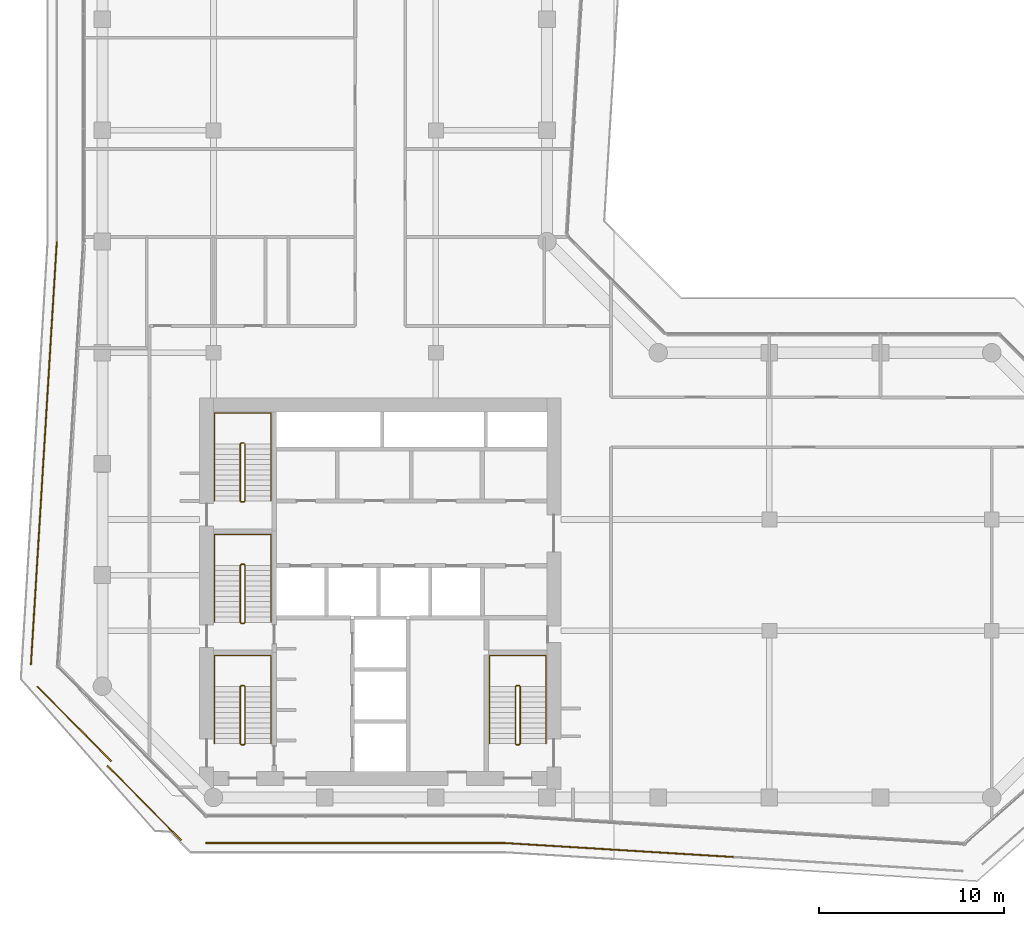
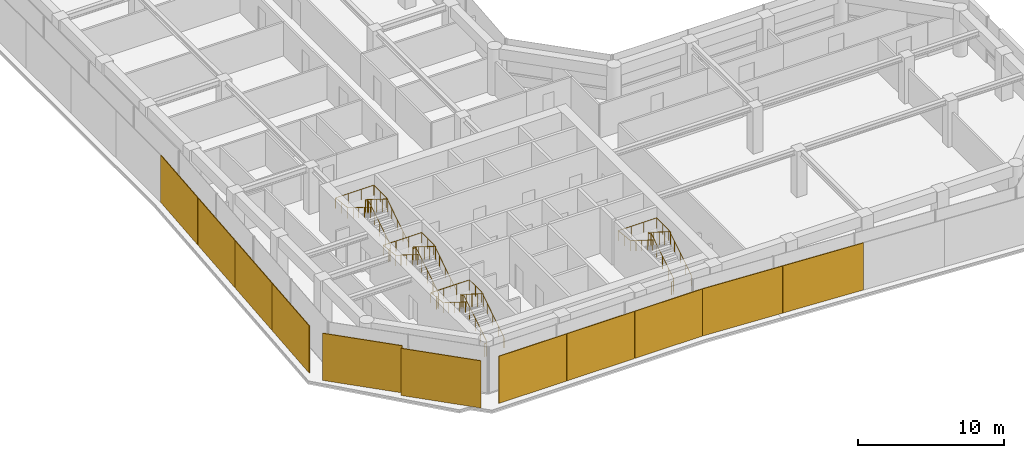
# One storey, part 23 of 24: 11 coverings, 8 railings.
"""IFC4 building model written with IfcOpenShell, lengths in metres."""

from ifc_helpers import new_model, si_unit, direction, frame, origin, origin_2d, place, context, subcontext, project, spatial, rectangle, circle, extrude, material, layer, layer_set, type_object, element, save


model = new_model("IFC4")

# Units and contexts
model_context = context("Model", 3, precision=1e-05, world=origin(), true_north=direction((0.0, 1.0)))
body_context = subcontext(model_context, "Body", "Model", "MODEL_VIEW")
ifc_project = project(units=[si_unit("LENGTHUNIT", "METRE"), si_unit("AREAUNIT", "SQUARE_METRE"), si_unit("VOLUMEUNIT", "CUBIC_METRE"), si_unit("PLANEANGLEUNIT", "RADIAN"), si_unit("MASSUNIT", "GRAM", prefix="KILO")], contexts=[model_context])

# Site, building, storey
site_placement = place(None, origin())
site = spatial("IfcSite", under=ifc_project, at=site_placement, CompositionType="ELEMENT")
building_placement = place(site_placement, origin())
building = spatial("IfcBuilding", under=site, at=building_placement, Name="Welwitschia Terrace Campus", CompositionType="ELEMENT")
storey_placement = place(building_placement, frame((0.0, 0.0, 125.60009765625)))
storey = spatial("IfcBuildingStorey", under=building, at=storey_placement, Name="L28", CompositionType="ELEMENT", Elevation=125.60009765625)

# Coverings
ifc_material_1 = material(Name="Bronze mesh aluminium screen", Category="aluminium")
ifc_layer = layer(ifc_material_1, 0.06005859375)
ifc_layer_set = layer_set([ifc_layer], Name="Bronze mesh aluminium screen")
covering_type = type_object("IfcCoveringType", Name="Bronze screen 60", PredefinedType="USERDEFINED", material=ifc_layer_set)
for number, where, z_axis, x_axis, name in (
    (1, (-2.632080078125, 31.136962890625, 0.0), (0.0, 0.0, 1.0), (-0.061048539535, -0.998134798422, 0.0), "Screen L28.0.0"),
    (2, (-2.981201171875, 25.427001953125, 0.0), (0.0, 0.0, 1.0), (-0.061048539535, -0.998134798422, 0.0), "Screen L28.0.1"),
    (3, (-3.330322265625, 19.717041015625, 0.0), (0.0, 0.0, 1.0), (-0.061048539535, -0.998134798422, 0.0), "Screen L28.0.2"),
    (4, (-3.6796875, 14.007080078125, 0.0), (0.0, 0.0, 1.0), (-0.061048539535, -0.998134798422, 0.0), "Screen L28.0.3"),
):
    element("IfcCovering", number, at=place(storey_placement, frame(where, z_axis=z_axis, x_axis=x_axis)), inside=storey, type_object=covering_type, Name=name, ObjectType="SCREEN", PredefinedType="USERDEFINED", context=body_context, shape_type="SweptSolid", body=[
        extrude(rectangle(XDim=5.70068359375, YDim=0.06005859375, at=origin_2d()), origin(), (0.0, 0.0, 1.0), 3.949951171875),
    ])
for number, where, z_axis, x_axis, name in (
    (5, (-1.512939453125, 7.9677734375, 0.0), (0.0, 0.0, 1.0), (0.702943695312, -0.711245499966, 0.0), "Screen L28.1.0"),
    (6, (2.263916015625, 3.699462890625, 0.0), (0.0, 0.0, 1.0), (0.702943695312, -0.711245499966, 0.0), "Screen L28.1.1"),
):
    element("IfcCovering", number, at=place(storey_placement, frame(where, z_axis=z_axis, x_axis=x_axis)), inside=storey, type_object=covering_type, Name=name, ObjectType="SCREEN", PredefinedType="USERDEFINED", context=body_context, shape_type="SweptSolid", body=[
        extrude(rectangle(XDim=5.670654296875, YDim=0.06005859375, at=origin_2d()), origin(), (0.0, 0.0, 1.0), 3.949951171875),
    ])
for number, where, z_axis, x_axis, name in (
    (7, (8.2705078125, 1.5400390625, 0.0), (0.0, 0.0, 1.0), (1.0, 0.0, 0.0), "Screen L28.2.0"),
    (8, (13.66455078125, 1.5400390625, 0.0), (0.0, 0.0, 1.0), (1.0, 0.0, 0.0), "Screen L28.2.1"),
    (9, (19.058837890625, 1.5400390625, 0.0), (0.0, 0.0, 1.0), (1.0, 0.0, 0.0), "Screen L28.2.2"),
):
    element("IfcCovering", number, at=place(storey_placement, frame(where, z_axis=z_axis, x_axis=x_axis)), inside=storey, type_object=covering_type, Name=name, ObjectType="SCREEN", PredefinedType="USERDEFINED", context=body_context, shape_type="SweptSolid", body=[
        extrude(rectangle(XDim=5.374267578125, YDim=0.06005859375, at=origin_2d()), origin(), (0.0, 0.0, 1.0), 3.949951171875),
    ])
for number, where, z_axis, x_axis, name in (
    (10, (24.765869140625, 1.353271484375, 0.0), (0.0, 0.0, 1.0), (0.998134798422, -0.061048539535, 0.0), "Screen L28.3.0"),
    (11, (30.96044921875, 0.974365234375, 0.0), (0.0, 0.0, 1.0), (0.998134798422, -0.061048539535, 0.0), "Screen L28.3.1"),
):
    element("IfcCovering", number, at=place(storey_placement, frame(where, z_axis=z_axis, x_axis=x_axis)), inside=storey, type_object=covering_type, Name=name, ObjectType="SCREEN", PredefinedType="USERDEFINED", context=body_context, shape_type="SweptSolid", body=[
        extrude(rectangle(XDim=6.186279296875, YDim=0.06005859375, at=origin_2d()), origin(), (0.0, 0.0, 1.0), 3.949951171875),
    ])

# Railings
ifc_material_2 = material(Name="Steel S355", Category="steel")
railing_type_1 = type_object("IfcRailingType", Name="Stair guard 1100", PredefinedType="GUARDRAIL", material=ifc_material_2)
railing_1_placement = place(storey_placement, frame((7.5, 6.85009765625, 0.0)))
element("IfcRailing", 12, at=railing_1_placement, inside=storey, type_object=railing_type_1, Name="L28 S1 stair guard", PredefinedType="GUARDRAIL", context=body_context, shape_type="SweptSolid", body=[
    extrude(circle(Radius=0.02392578125, at=origin_2d()), frame((0.0, 0.0, 1.076171875), z_axis=(1.0, 0.0, 0.0), x_axis=(0.0, 1.0, 0.0)), (0.0, 0.0, 1.0), 0.14990234375),
    extrude(circle(Radius=0.02392578125, at=origin_2d()), frame((0.14990234375, 0.0, 1.076171875), z_axis=(0.265474339444, 0.264179342666, 0.927217692888), x_axis=(-0.705375805398, 0.708833529934, 0.0)), (0.0, 0.0, 1.0), 0.1884765625),
    extrude(circle(Radius=0.02392578125, at=origin_2d()), frame((0.199951171875, 0.0498046875, 1.2509765625), z_axis=(0.0, 0.847998304005, 0.529998940003), x_axis=(-1.0, 0.0, 0.0)), (0.0, 0.0, 1.0), 3.632080078125),
    extrude(circle(Radius=0.02392578125, at=origin_2d()), frame((0.199951171875, 3.1298828125, 3.17578125), z_axis=(-0.707106781187, 0.707106781187, 0.0), x_axis=(-0.707106781187, -0.707106781187, 0.0)), (0.0, 0.0, 1.0), 0.07080078125),
    extrude(circle(Radius=0.02392578125, at=origin_2d()), frame((0.14990234375, 3.179931640625, 3.17578125), z_axis=(-1.0, 0.0, 0.0), x_axis=(0.0, -1.0, 0.0)), (0.0, 0.0, 1.0), 0.14990234375),
    extrude(circle(Radius=0.02392578125, at=origin_2d()), frame((0.0, 3.179931640625, 3.17578125), z_axis=(-0.265065253269, -0.265065253269, 0.927081885822), x_axis=(0.707106781187, -0.707106781187, 0.0)), (0.0, 0.0, 1.0), 0.188720703125),
    extrude(circle(Radius=0.02392578125, at=origin_2d()), frame((-0.050048828125, 3.1298828125, 3.35107421875), z_axis=(0.0, -0.847998304005, 0.529998940003), x_axis=(1.0, 0.0, 0.0)), (0.0, 0.0, 1.0), 3.632080078125),
    extrude(circle(Radius=0.02099609375, at=origin_2d()), origin(), (0.0, 0.0, 1.0), 1.052001953125),
    extrude(circle(Radius=0.02099609375, at=origin_2d()), frame((0.14990234375, 0.0, 0.0)), (0.0, 0.0, 1.0), 1.052001953125),
    extrude(circle(Radius=0.02099609375, at=origin_2d()), frame((0.199951171875, 0.0498046875, 0.1748046875)), (0.0, 0.0, 1.0), 1.052001953125),
    extrude(circle(Radius=0.02099609375, at=origin_2d()), frame((0.199951171875, 0.81982421875, 0.656005859375)), (0.0, 0.0, 1.0), 1.052001953125),
    extrude(circle(Radius=0.02099609375, at=origin_2d()), frame((0.199951171875, 1.58984375, 1.13720703125)), (0.0, 0.0, 1.0), 1.052001953125),
    extrude(circle(Radius=0.02099609375, at=origin_2d()), frame((0.199951171875, 2.35986328125, 1.61865234375)), (0.0, 0.0, 1.0), 1.052001953125),
    extrude(circle(Radius=0.02099609375, at=origin_2d()), frame((0.199951171875, 3.1298828125, 2.099853515625)), (0.0, 0.0, 1.0), 1.052001953125),
    extrude(circle(Radius=0.02099609375, at=origin_2d()), frame((0.14990234375, 3.179931640625, 2.099853515625)), (0.0, 0.0, 1.0), 1.052001953125),
    extrude(circle(Radius=0.02099609375, at=origin_2d()), frame((0.0, 3.179931640625, 2.099853515625)), (0.0, 0.0, 1.0), 1.052001953125),
    extrude(circle(Radius=0.02099609375, at=origin_2d()), frame((-0.050048828125, 3.1298828125, 2.27490234375)), (0.0, 0.0, 1.0), 1.052001953125),
    extrude(circle(Radius=0.02099609375, at=origin_2d()), frame((-0.050048828125, 2.35986328125, 2.756103515625)), (0.0, 0.0, 1.0), 1.052001953125),
    extrude(circle(Radius=0.02099609375, at=origin_2d()), frame((-0.050048828125, 1.58984375, 3.2373046875)), (0.0, 0.0, 1.0), 1.052001953125),
    extrude(circle(Radius=0.02099609375, at=origin_2d()), frame((-0.050048828125, 0.81982421875, 3.71875)), (0.0, 0.0, 1.0), 1.052001953125),
    extrude(circle(Radius=0.02099609375, at=origin_2d()), frame((-0.050048828125, 0.0498046875, 4.199951171875)), (0.0, 0.0, 1.0), 1.052001953125),
])
railing_2_placement = place(storey_placement, frame((7.5, 13.39990234375, 0.0)))
element("IfcRailing", 13, at=railing_2_placement, inside=storey, type_object=railing_type_1, Name="L28 S3 stair guard", PredefinedType="GUARDRAIL", context=body_context, shape_type="SweptSolid", body=[
    extrude(circle(Radius=0.02392578125, at=origin_2d()), frame((0.0, 0.0, 1.076171875), z_axis=(1.0, 0.0, 0.0), x_axis=(0.0, 1.0, 0.0)), (0.0, 0.0, 1.0), 0.14990234375),
    extrude(circle(Radius=0.02392578125, at=origin_2d()), frame((0.14990234375, 0.0, 1.076171875), z_axis=(0.265383341853, 0.265383341853, 0.926899867156), x_axis=(-0.707106781187, 0.707106781187, 0.0)), (0.0, 0.0, 1.0), 0.1884765625),
    extrude(circle(Radius=0.02392578125, at=origin_2d()), frame((0.199951171875, 0.050048828125, 1.2509765625), z_axis=(0.0, 0.847998304005, 0.529998940003), x_axis=(-1.0, 0.0, 0.0)), (0.0, 0.0, 1.0), 3.632080078125),
    extrude(circle(Radius=0.02392578125, at=origin_2d()), frame((0.199951171875, 3.130126953125, 3.17578125), z_axis=(-0.707106781187, 0.707106781187, 0.0), x_axis=(-0.707106781187, -0.707106781187, 0.0)), (0.0, 0.0, 1.0), 0.07080078125),
    extrude(circle(Radius=0.02392578125, at=origin_2d()), frame((0.14990234375, 3.18017578125, 3.17578125), z_axis=(-1.0, 0.0, 0.0), x_axis=(0.0, -1.0, 0.0)), (0.0, 0.0, 1.0), 0.14990234375),
    extrude(circle(Radius=0.02392578125, at=origin_2d()), frame((0.0, 3.18017578125, 3.17578125), z_axis=(-0.265065253269, -0.265065253269, 0.927081885822), x_axis=(0.707106781187, -0.707106781187, 0.0)), (0.0, 0.0, 1.0), 0.188720703125),
    extrude(circle(Radius=0.02392578125, at=origin_2d()), frame((-0.050048828125, 3.130126953125, 3.35107421875), z_axis=(0.0, -0.847998304005, 0.529998940003), x_axis=(1.0, 0.0, 0.0)), (0.0, 0.0, 1.0), 3.632080078125),
    extrude(circle(Radius=0.02099609375, at=origin_2d()), origin(), (0.0, 0.0, 1.0), 1.052001953125),
    extrude(circle(Radius=0.02099609375, at=origin_2d()), frame((0.14990234375, 0.0, 0.0)), (0.0, 0.0, 1.0), 1.052001953125),
    extrude(circle(Radius=0.02099609375, at=origin_2d()), frame((0.199951171875, 0.050048828125, 0.1748046875)), (0.0, 0.0, 1.0), 1.052001953125),
    extrude(circle(Radius=0.02099609375, at=origin_2d()), frame((0.199951171875, 0.820068359375, 0.656005859375)), (0.0, 0.0, 1.0), 1.052001953125),
    extrude(circle(Radius=0.02099609375, at=origin_2d()), frame((0.199951171875, 1.590087890625, 1.13720703125)), (0.0, 0.0, 1.0), 1.052001953125),
    extrude(circle(Radius=0.02099609375, at=origin_2d()), frame((0.199951171875, 2.360107421875, 1.61865234375)), (0.0, 0.0, 1.0), 1.052001953125),
    extrude(circle(Radius=0.02099609375, at=origin_2d()), frame((0.199951171875, 3.130126953125, 2.099853515625)), (0.0, 0.0, 1.0), 1.052001953125),
    extrude(circle(Radius=0.02099609375, at=origin_2d()), frame((0.14990234375, 3.18017578125, 2.099853515625)), (0.0, 0.0, 1.0), 1.052001953125),
    extrude(circle(Radius=0.02099609375, at=origin_2d()), frame((0.0, 3.18017578125, 2.099853515625)), (0.0, 0.0, 1.0), 1.052001953125),
    extrude(circle(Radius=0.02099609375, at=origin_2d()), frame((-0.050048828125, 3.130126953125, 2.27490234375)), (0.0, 0.0, 1.0), 1.052001953125),
    extrude(circle(Radius=0.02099609375, at=origin_2d()), frame((-0.050048828125, 2.360107421875, 2.756103515625)), (0.0, 0.0, 1.0), 1.052001953125),
    extrude(circle(Radius=0.02099609375, at=origin_2d()), frame((-0.050048828125, 1.590087890625, 3.2373046875)), (0.0, 0.0, 1.0), 1.052001953125),
    extrude(circle(Radius=0.02099609375, at=origin_2d()), frame((-0.050048828125, 0.820068359375, 3.71875)), (0.0, 0.0, 1.0), 1.052001953125),
    extrude(circle(Radius=0.02099609375, at=origin_2d()), frame((-0.050048828125, 0.050048828125, 4.199951171875)), (0.0, 0.0, 1.0), 1.052001953125),
])
railing_3_placement = place(storey_placement, frame((7.5, 19.949951171875, 0.0)))
element("IfcRailing", 14, at=railing_3_placement, inside=storey, type_object=railing_type_1, Name="L28 S4 stair guard", PredefinedType="GUARDRAIL", context=body_context, shape_type="SweptSolid", body=[
    extrude(circle(Radius=0.02392578125, at=origin_2d()), frame((0.0, 0.0, 1.076171875), z_axis=(1.0, 0.0, 0.0), x_axis=(0.0, 1.0, 0.0)), (0.0, 0.0, 1.0), 0.14990234375),
    extrude(circle(Radius=0.02392578125, at=origin_2d()), frame((0.14990234375, 0.0, 1.076171875), z_axis=(0.265383341853, 0.265383341853, 0.926899867156), x_axis=(-0.707106781187, 0.707106781187, 0.0)), (0.0, 0.0, 1.0), 0.1884765625),
    extrude(circle(Radius=0.02392578125, at=origin_2d()), frame((0.199951171875, 0.050048828125, 1.2509765625), z_axis=(0.0, 0.847998304005, 0.529998940003), x_axis=(-1.0, 0.0, 0.0)), (0.0, 0.0, 1.0), 3.632080078125),
    extrude(circle(Radius=0.02392578125, at=origin_2d()), frame((0.199951171875, 3.130126953125, 3.17578125), z_axis=(-0.708833529934, 0.705375805398, 0.0), x_axis=(-0.705375805398, -0.708833529934, 0.0)), (0.0, 0.0, 1.0), 0.070556640625),
    extrude(circle(Radius=0.02392578125, at=origin_2d()), frame((0.14990234375, 3.179931640625, 3.17578125), z_axis=(-1.0, 0.0, 0.0), x_axis=(0.0, -1.0, 0.0)), (0.0, 0.0, 1.0), 0.14990234375),
    extrude(circle(Radius=0.02392578125, at=origin_2d()), frame((0.0, 3.179931640625, 3.17578125), z_axis=(-0.265155923931, -0.263862480399, 0.927399011991), x_axis=(0.705375805398, -0.708833529934, 0.0)), (0.0, 0.0, 1.0), 0.188720703125),
    extrude(circle(Radius=0.02392578125, at=origin_2d()), frame((-0.050048828125, 3.130126953125, 3.35107421875), z_axis=(0.0, -0.847998304005, 0.529998940003), x_axis=(1.0, 0.0, 0.0)), (0.0, 0.0, 1.0), 3.632080078125),
    extrude(circle(Radius=0.02099609375, at=origin_2d()), origin(), (0.0, 0.0, 1.0), 1.052001953125),
    extrude(circle(Radius=0.02099609375, at=origin_2d()), frame((0.14990234375, 0.0, 0.0)), (0.0, 0.0, 1.0), 1.052001953125),
    extrude(circle(Radius=0.02099609375, at=origin_2d()), frame((0.199951171875, 0.050048828125, 0.1748046875)), (0.0, 0.0, 1.0), 1.052001953125),
    extrude(circle(Radius=0.02099609375, at=origin_2d()), frame((0.199951171875, 0.820068359375, 0.656005859375)), (0.0, 0.0, 1.0), 1.052001953125),
    extrude(circle(Radius=0.02099609375, at=origin_2d()), frame((0.199951171875, 1.590087890625, 1.13720703125)), (0.0, 0.0, 1.0), 1.052001953125),
    extrude(circle(Radius=0.02099609375, at=origin_2d()), frame((0.199951171875, 2.360107421875, 1.61865234375)), (0.0, 0.0, 1.0), 1.052001953125),
    extrude(circle(Radius=0.02099609375, at=origin_2d()), frame((0.199951171875, 3.130126953125, 2.099853515625)), (0.0, 0.0, 1.0), 1.052001953125),
    extrude(circle(Radius=0.02099609375, at=origin_2d()), frame((0.14990234375, 3.179931640625, 2.099853515625)), (0.0, 0.0, 1.0), 1.052001953125),
    extrude(circle(Radius=0.02099609375, at=origin_2d()), frame((0.0, 3.179931640625, 2.099853515625)), (0.0, 0.0, 1.0), 1.052001953125),
    extrude(circle(Radius=0.02099609375, at=origin_2d()), frame((-0.050048828125, 3.130126953125, 2.27490234375)), (0.0, 0.0, 1.0), 1.052001953125),
    extrude(circle(Radius=0.02099609375, at=origin_2d()), frame((-0.050048828125, 2.360107421875, 2.756103515625)), (0.0, 0.0, 1.0), 1.052001953125),
    extrude(circle(Radius=0.02099609375, at=origin_2d()), frame((-0.050048828125, 1.590087890625, 3.2373046875)), (0.0, 0.0, 1.0), 1.052001953125),
    extrude(circle(Radius=0.02099609375, at=origin_2d()), frame((-0.050048828125, 0.820068359375, 3.71875)), (0.0, 0.0, 1.0), 1.052001953125),
    extrude(circle(Radius=0.02099609375, at=origin_2d()), frame((-0.050048828125, 0.050048828125, 4.199951171875)), (0.0, 0.0, 1.0), 1.052001953125),
])
railing_4_placement = place(storey_placement, frame((22.35009765625, 6.85009765625, 0.0)))
element("IfcRailing", 15, at=railing_4_placement, inside=storey, type_object=railing_type_1, Name="L28 S2 stair guard", PredefinedType="GUARDRAIL", context=body_context, shape_type="SweptSolid", body=[
    extrude(circle(Radius=0.02392578125, at=origin_2d()), frame((0.0, 0.0, 1.076171875), z_axis=(1.0, 0.0, 0.0), x_axis=(0.0, 1.0, 0.0)), (0.0, 0.0, 1.0), 0.14990234375),
    extrude(circle(Radius=0.02392578125, at=origin_2d()), frame((0.14990234375, 0.0, 1.076171875), z_axis=(0.265474339444, 0.264179342666, 0.927217692888), x_axis=(-0.705375805398, 0.708833529934, 0.0)), (0.0, 0.0, 1.0), 0.1884765625),
    extrude(circle(Radius=0.02392578125, at=origin_2d()), frame((0.199951171875, 0.0498046875, 1.2509765625), z_axis=(0.0, 0.847998304005, 0.529998940003), x_axis=(-1.0, 0.0, 0.0)), (0.0, 0.0, 1.0), 3.632080078125),
    extrude(circle(Radius=0.02392578125, at=origin_2d()), frame((0.199951171875, 3.1298828125, 3.17578125), z_axis=(-0.707106781187, 0.707106781187, 0.0), x_axis=(-0.707106781187, -0.707106781187, 0.0)), (0.0, 0.0, 1.0), 0.07080078125),
    extrude(circle(Radius=0.02392578125, at=origin_2d()), frame((0.14990234375, 3.179931640625, 3.17578125), z_axis=(-1.0, 0.0, 0.0), x_axis=(0.0, -1.0, 0.0)), (0.0, 0.0, 1.0), 0.14990234375),
    extrude(circle(Radius=0.02392578125, at=origin_2d()), frame((0.0, 3.179931640625, 3.17578125), z_axis=(-0.265065253269, -0.265065253269, 0.927081885822), x_axis=(0.707106781187, -0.707106781187, 0.0)), (0.0, 0.0, 1.0), 0.188720703125),
    extrude(circle(Radius=0.02392578125, at=origin_2d()), frame((-0.050048828125, 3.1298828125, 3.35107421875), z_axis=(0.0, -0.847998304005, 0.529998940003), x_axis=(1.0, 0.0, 0.0)), (0.0, 0.0, 1.0), 3.632080078125),
    extrude(circle(Radius=0.02099609375, at=origin_2d()), origin(), (0.0, 0.0, 1.0), 1.052001953125),
    extrude(circle(Radius=0.02099609375, at=origin_2d()), frame((0.14990234375, 0.0, 0.0)), (0.0, 0.0, 1.0), 1.052001953125),
    extrude(circle(Radius=0.02099609375, at=origin_2d()), frame((0.199951171875, 0.0498046875, 0.1748046875)), (0.0, 0.0, 1.0), 1.052001953125),
    extrude(circle(Radius=0.02099609375, at=origin_2d()), frame((0.199951171875, 0.81982421875, 0.656005859375)), (0.0, 0.0, 1.0), 1.052001953125),
    extrude(circle(Radius=0.02099609375, at=origin_2d()), frame((0.199951171875, 1.58984375, 1.13720703125)), (0.0, 0.0, 1.0), 1.052001953125),
    extrude(circle(Radius=0.02099609375, at=origin_2d()), frame((0.199951171875, 2.35986328125, 1.61865234375)), (0.0, 0.0, 1.0), 1.052001953125),
    extrude(circle(Radius=0.02099609375, at=origin_2d()), frame((0.199951171875, 3.1298828125, 2.099853515625)), (0.0, 0.0, 1.0), 1.052001953125),
    extrude(circle(Radius=0.02099609375, at=origin_2d()), frame((0.14990234375, 3.179931640625, 2.099853515625)), (0.0, 0.0, 1.0), 1.052001953125),
    extrude(circle(Radius=0.02099609375, at=origin_2d()), frame((0.0, 3.179931640625, 2.099853515625)), (0.0, 0.0, 1.0), 1.052001953125),
    extrude(circle(Radius=0.02099609375, at=origin_2d()), frame((-0.050048828125, 3.1298828125, 2.27490234375)), (0.0, 0.0, 1.0), 1.052001953125),
    extrude(circle(Radius=0.02099609375, at=origin_2d()), frame((-0.050048828125, 2.35986328125, 2.756103515625)), (0.0, 0.0, 1.0), 1.052001953125),
    extrude(circle(Radius=0.02099609375, at=origin_2d()), frame((-0.050048828125, 1.58984375, 3.2373046875)), (0.0, 0.0, 1.0), 1.052001953125),
    extrude(circle(Radius=0.02099609375, at=origin_2d()), frame((-0.050048828125, 0.81982421875, 3.71875)), (0.0, 0.0, 1.0), 1.052001953125),
    extrude(circle(Radius=0.02099609375, at=origin_2d()), frame((-0.050048828125, 0.0498046875, 4.199951171875)), (0.0, 0.0, 1.0), 1.052001953125),
])
ifc_material_3 = material(Name="Steel S355", Category="steel")
railing_type_2 = type_object("IfcRailingType", Name="Stair handrail 900", PredefinedType="HANDRAIL", material=ifc_material_3)
railing_5_placement = place(storey_placement, frame((9.10009765625, 6.89990234375, 0.1748046875)))
element("IfcRailing", 16, at=railing_5_placement, inside=storey, type_object=railing_type_2, Name="L28 S1 stair handrail", PredefinedType="HANDRAIL", context=body_context, shape_type="SweptSolid", body=[
    extrude(circle(Radius=0.02392578125, at=origin_2d()), frame((0.0, 0.0, 0.8759765625), z_axis=(0.0, 0.847998304005, 0.529998940003), x_axis=(-1.0, 0.0, 0.0)), (0.0, 0.0, 1.0), 3.632080078125),
    extrude(circle(Radius=0.02392578125, at=origin_2d()), frame((0.0, 3.080078125, 2.80078125), z_axis=(0.0, 1.0, 0.0), x_axis=(-1.0, 0.0, 0.0)), (0.0, 0.0, 1.0), 1.669921875),
    extrude(circle(Radius=0.02392578125, at=origin_2d()), frame((0.0, 4.75, 2.80078125), z_axis=(-1.0, 0.0, 0.0), x_axis=(0.0, -1.0, 0.0)), (0.0, 0.0, 1.0), 3.050048828125),
    extrude(circle(Radius=0.02392578125, at=origin_2d()), frame((-3.050048828125, 4.75, 2.80078125), z_axis=(0.0, -0.99455077262, 0.104253348533), x_axis=(1.0, 0.0, 0.0)), (0.0, 0.0, 1.0), 1.678955078125),
    extrude(circle(Radius=0.02392578125, at=origin_2d()), frame((-3.050048828125, 3.080078125, 2.97607421875), z_axis=(0.0, -0.847998304005, 0.529998940003), x_axis=(1.0, 0.0, 0.0)), (0.0, 0.0, 1.0), 3.632080078125),
    extrude(circle(Radius=0.02099609375, at=origin_2d()), origin(), (0.0, 0.0, 1.0), 0.851806640625),
    extrude(circle(Radius=0.02099609375, at=origin_2d()), frame((0.0, 0.77001953125, 0.481201171875)), (0.0, 0.0, 1.0), 0.851806640625),
    extrude(circle(Radius=0.02099609375, at=origin_2d()), frame((0.0, 1.5400390625, 0.96240234375)), (0.0, 0.0, 1.0), 0.851806640625),
    extrude(circle(Radius=0.02099609375, at=origin_2d()), frame((0.0, 2.31005859375, 1.44384765625)), (0.0, 0.0, 1.0), 0.851806640625),
    extrude(circle(Radius=0.02099609375, at=origin_2d()), frame((0.0, 3.080078125, 1.925048828125)), (0.0, 0.0, 1.0), 0.851806640625),
    extrude(circle(Radius=0.02099609375, at=origin_2d()), frame((0.0, 3.9150390625, 1.925048828125)), (0.0, 0.0, 1.0), 0.851806640625),
    extrude(circle(Radius=0.02099609375, at=origin_2d()), frame((0.0, 4.75, 1.925048828125)), (0.0, 0.0, 1.0), 0.851806640625),
    extrude(circle(Radius=0.02099609375, at=origin_2d()), frame((-1.0166015625, 4.75, 1.925048828125)), (0.0, 0.0, 1.0), 0.851806640625),
    extrude(circle(Radius=0.02099609375, at=origin_2d()), frame((-2.033447265625, 4.75, 1.925048828125)), (0.0, 0.0, 1.0), 0.851806640625),
    extrude(circle(Radius=0.02099609375, at=origin_2d()), frame((-3.050048828125, 4.75, 1.925048828125)), (0.0, 0.0, 1.0), 0.851806640625),
    extrude(circle(Radius=0.02099609375, at=origin_2d()), frame((-3.050048828125, 3.9150390625, 2.0126953125)), (0.0, 0.0, 1.0), 0.851806640625),
    extrude(circle(Radius=0.02099609375, at=origin_2d()), frame((-3.050048828125, 3.080078125, 2.10009765625)), (0.0, 0.0, 1.0), 0.851806640625),
    extrude(circle(Radius=0.02099609375, at=origin_2d()), frame((-3.050048828125, 2.31005859375, 2.581298828125)), (0.0, 0.0, 1.0), 0.851806640625),
    extrude(circle(Radius=0.02099609375, at=origin_2d()), frame((-3.050048828125, 1.5400390625, 3.0625)), (0.0, 0.0, 1.0), 0.851806640625),
    extrude(circle(Radius=0.02099609375, at=origin_2d()), frame((-3.050048828125, 0.77001953125, 3.5439453125)), (0.0, 0.0, 1.0), 0.851806640625),
    extrude(circle(Radius=0.02099609375, at=origin_2d()), frame((-3.050048828125, 0.0, 4.025146484375)), (0.0, 0.0, 1.0), 0.851806640625),
])
railing_6_placement = place(storey_placement, frame((9.10009765625, 13.449951171875, 0.1748046875)))
element("IfcRailing", 17, at=railing_6_placement, inside=storey, type_object=railing_type_2, Name="L28 S3 stair handrail", PredefinedType="HANDRAIL", context=body_context, shape_type="SweptSolid", body=[
    extrude(circle(Radius=0.02392578125, at=origin_2d()), frame((0.0, 0.0, 0.8759765625), z_axis=(0.0, 0.847998304005, 0.529998940003), x_axis=(-1.0, 0.0, 0.0)), (0.0, 0.0, 1.0), 3.632080078125),
    extrude(circle(Radius=0.02392578125, at=origin_2d()), frame((0.0, 3.080078125, 2.80078125), z_axis=(0.0, 1.0, 0.0), x_axis=(-1.0, 0.0, 0.0)), (0.0, 0.0, 1.0), 1.669921875),
    extrude(circle(Radius=0.02392578125, at=origin_2d()), frame((0.0, 4.75, 2.80078125), z_axis=(-1.0, 0.0, 0.0), x_axis=(0.0, -1.0, 0.0)), (0.0, 0.0, 1.0), 3.050048828125),
    extrude(circle(Radius=0.02392578125, at=origin_2d()), frame((-3.050048828125, 4.75, 2.80078125), z_axis=(0.0, -0.99455077262, 0.104253348533), x_axis=(1.0, 0.0, 0.0)), (0.0, 0.0, 1.0), 1.678955078125),
    extrude(circle(Radius=0.02392578125, at=origin_2d()), frame((-3.050048828125, 3.080078125, 2.97607421875), z_axis=(0.0, -0.847998304005, 0.529998940003), x_axis=(1.0, 0.0, 0.0)), (0.0, 0.0, 1.0), 3.632080078125),
    extrude(circle(Radius=0.02099609375, at=origin_2d()), origin(), (0.0, 0.0, 1.0), 0.851806640625),
    extrude(circle(Radius=0.02099609375, at=origin_2d()), frame((0.0, 0.77001953125, 0.481201171875)), (0.0, 0.0, 1.0), 0.851806640625),
    extrude(circle(Radius=0.02099609375, at=origin_2d()), frame((0.0, 1.5400390625, 0.96240234375)), (0.0, 0.0, 1.0), 0.851806640625),
    extrude(circle(Radius=0.02099609375, at=origin_2d()), frame((0.0, 2.31005859375, 1.44384765625)), (0.0, 0.0, 1.0), 0.851806640625),
    extrude(circle(Radius=0.02099609375, at=origin_2d()), frame((0.0, 3.080078125, 1.925048828125)), (0.0, 0.0, 1.0), 0.851806640625),
    extrude(circle(Radius=0.02099609375, at=origin_2d()), frame((0.0, 3.9150390625, 1.925048828125)), (0.0, 0.0, 1.0), 0.851806640625),
    extrude(circle(Radius=0.02099609375, at=origin_2d()), frame((0.0, 4.75, 1.925048828125)), (0.0, 0.0, 1.0), 0.851806640625),
    extrude(circle(Radius=0.02099609375, at=origin_2d()), frame((-1.0166015625, 4.75, 1.925048828125)), (0.0, 0.0, 1.0), 0.851806640625),
    extrude(circle(Radius=0.02099609375, at=origin_2d()), frame((-2.033447265625, 4.75, 1.925048828125)), (0.0, 0.0, 1.0), 0.851806640625),
    extrude(circle(Radius=0.02099609375, at=origin_2d()), frame((-3.050048828125, 4.75, 1.925048828125)), (0.0, 0.0, 1.0), 0.851806640625),
    extrude(circle(Radius=0.02099609375, at=origin_2d()), frame((-3.050048828125, 3.9150390625, 2.0126953125)), (0.0, 0.0, 1.0), 0.851806640625),
    extrude(circle(Radius=0.02099609375, at=origin_2d()), frame((-3.050048828125, 3.080078125, 2.10009765625)), (0.0, 0.0, 1.0), 0.851806640625),
    extrude(circle(Radius=0.02099609375, at=origin_2d()), frame((-3.050048828125, 2.31005859375, 2.581298828125)), (0.0, 0.0, 1.0), 0.851806640625),
    extrude(circle(Radius=0.02099609375, at=origin_2d()), frame((-3.050048828125, 1.5400390625, 3.0625)), (0.0, 0.0, 1.0), 0.851806640625),
    extrude(circle(Radius=0.02099609375, at=origin_2d()), frame((-3.050048828125, 0.77001953125, 3.5439453125)), (0.0, 0.0, 1.0), 0.851806640625),
    extrude(circle(Radius=0.02099609375, at=origin_2d()), frame((-3.050048828125, 0.0, 4.025146484375)), (0.0, 0.0, 1.0), 0.851806640625),
])
railing_7_placement = place(storey_placement, frame((9.10009765625, 20.0, 0.1748046875)))
element("IfcRailing", 18, at=railing_7_placement, inside=storey, type_object=railing_type_2, Name="L28 S4 stair handrail", PredefinedType="HANDRAIL", context=body_context, shape_type="SweptSolid", body=[
    extrude(circle(Radius=0.02392578125, at=origin_2d()), frame((0.0, 0.0, 0.8759765625), z_axis=(0.0, 0.847998304005, 0.529998940003), x_axis=(-1.0, 0.0, 0.0)), (0.0, 0.0, 1.0), 3.632080078125),
    extrude(circle(Radius=0.02392578125, at=origin_2d()), frame((0.0, 3.080078125, 2.80078125), z_axis=(0.0, 1.0, 0.0), x_axis=(-1.0, 0.0, 0.0)), (0.0, 0.0, 1.0), 1.669921875),
    extrude(circle(Radius=0.02392578125, at=origin_2d()), frame((0.0, 4.75, 2.80078125), z_axis=(-1.0, 0.0, 0.0), x_axis=(0.0, -1.0, 0.0)), (0.0, 0.0, 1.0), 3.050048828125),
    extrude(circle(Radius=0.02392578125, at=origin_2d()), frame((-3.050048828125, 4.75, 2.80078125), z_axis=(0.0, -0.99455077262, 0.104253348533), x_axis=(1.0, 0.0, 0.0)), (0.0, 0.0, 1.0), 1.678955078125),
    extrude(circle(Radius=0.02392578125, at=origin_2d()), frame((-3.050048828125, 3.080078125, 2.97607421875), z_axis=(0.0, -0.847998304005, 0.529998940003), x_axis=(1.0, 0.0, 0.0)), (0.0, 0.0, 1.0), 3.632080078125),
    extrude(circle(Radius=0.02099609375, at=origin_2d()), origin(), (0.0, 0.0, 1.0), 0.851806640625),
    extrude(circle(Radius=0.02099609375, at=origin_2d()), frame((0.0, 0.77001953125, 0.481201171875)), (0.0, 0.0, 1.0), 0.851806640625),
    extrude(circle(Radius=0.02099609375, at=origin_2d()), frame((0.0, 1.5400390625, 0.96240234375)), (0.0, 0.0, 1.0), 0.851806640625),
    extrude(circle(Radius=0.02099609375, at=origin_2d()), frame((0.0, 2.31005859375, 1.44384765625)), (0.0, 0.0, 1.0), 0.851806640625),
    extrude(circle(Radius=0.02099609375, at=origin_2d()), frame((0.0, 3.080078125, 1.925048828125)), (0.0, 0.0, 1.0), 0.851806640625),
    extrude(circle(Radius=0.02099609375, at=origin_2d()), frame((0.0, 3.9150390625, 1.925048828125)), (0.0, 0.0, 1.0), 0.851806640625),
    extrude(circle(Radius=0.02099609375, at=origin_2d()), frame((0.0, 4.75, 1.925048828125)), (0.0, 0.0, 1.0), 0.851806640625),
    extrude(circle(Radius=0.02099609375, at=origin_2d()), frame((-1.0166015625, 4.75, 1.925048828125)), (0.0, 0.0, 1.0), 0.851806640625),
    extrude(circle(Radius=0.02099609375, at=origin_2d()), frame((-2.033447265625, 4.75, 1.925048828125)), (0.0, 0.0, 1.0), 0.851806640625),
    extrude(circle(Radius=0.02099609375, at=origin_2d()), frame((-3.050048828125, 4.75, 1.925048828125)), (0.0, 0.0, 1.0), 0.851806640625),
    extrude(circle(Radius=0.02099609375, at=origin_2d()), frame((-3.050048828125, 3.9150390625, 2.0126953125)), (0.0, 0.0, 1.0), 0.851806640625),
    extrude(circle(Radius=0.02099609375, at=origin_2d()), frame((-3.050048828125, 3.080078125, 2.10009765625)), (0.0, 0.0, 1.0), 0.851806640625),
    extrude(circle(Radius=0.02099609375, at=origin_2d()), frame((-3.050048828125, 2.31005859375, 2.581298828125)), (0.0, 0.0, 1.0), 0.851806640625),
    extrude(circle(Radius=0.02099609375, at=origin_2d()), frame((-3.050048828125, 1.5400390625, 3.0625)), (0.0, 0.0, 1.0), 0.851806640625),
    extrude(circle(Radius=0.02099609375, at=origin_2d()), frame((-3.050048828125, 0.77001953125, 3.5439453125)), (0.0, 0.0, 1.0), 0.851806640625),
    extrude(circle(Radius=0.02099609375, at=origin_2d()), frame((-3.050048828125, 0.0, 4.025146484375)), (0.0, 0.0, 1.0), 0.851806640625),
])
railing_8_placement = place(storey_placement, frame((23.949951171875, 6.89990234375, 0.1748046875)))
element("IfcRailing", 19, at=railing_8_placement, inside=storey, type_object=railing_type_2, Name="L28 S2 stair handrail", PredefinedType="HANDRAIL", context=body_context, shape_type="SweptSolid", body=[
    extrude(circle(Radius=0.02392578125, at=origin_2d()), frame((0.0, 0.0, 0.8759765625), z_axis=(0.0, 0.847998304005, 0.529998940003), x_axis=(-1.0, 0.0, 0.0)), (0.0, 0.0, 1.0), 3.632080078125),
    extrude(circle(Radius=0.02392578125, at=origin_2d()), frame((0.0, 3.080078125, 2.80078125), z_axis=(0.0, 1.0, 0.0), x_axis=(-1.0, 0.0, 0.0)), (0.0, 0.0, 1.0), 1.669921875),
    extrude(circle(Radius=0.02392578125, at=origin_2d()), frame((0.0, 4.75, 2.80078125), z_axis=(-1.0, 0.0, 0.0), x_axis=(0.0, -1.0, 0.0)), (0.0, 0.0, 1.0), 3.050048828125),
    extrude(circle(Radius=0.02392578125, at=origin_2d()), frame((-3.050048828125, 4.75, 2.80078125), z_axis=(0.0, -0.99455077262, 0.104253348533), x_axis=(1.0, 0.0, 0.0)), (0.0, 0.0, 1.0), 1.678955078125),
    extrude(circle(Radius=0.02392578125, at=origin_2d()), frame((-3.050048828125, 3.080078125, 2.97607421875), z_axis=(0.0, -0.847998304005, 0.529998940003), x_axis=(1.0, 0.0, 0.0)), (0.0, 0.0, 1.0), 3.632080078125),
    extrude(circle(Radius=0.02099609375, at=origin_2d()), origin(), (0.0, 0.0, 1.0), 0.851806640625),
    extrude(circle(Radius=0.02099609375, at=origin_2d()), frame((0.0, 0.77001953125, 0.481201171875)), (0.0, 0.0, 1.0), 0.851806640625),
    extrude(circle(Radius=0.02099609375, at=origin_2d()), frame((0.0, 1.5400390625, 0.96240234375)), (0.0, 0.0, 1.0), 0.851806640625),
    extrude(circle(Radius=0.02099609375, at=origin_2d()), frame((0.0, 2.31005859375, 1.44384765625)), (0.0, 0.0, 1.0), 0.851806640625),
    extrude(circle(Radius=0.02099609375, at=origin_2d()), frame((0.0, 3.080078125, 1.925048828125)), (0.0, 0.0, 1.0), 0.851806640625),
    extrude(circle(Radius=0.02099609375, at=origin_2d()), frame((0.0, 3.9150390625, 1.925048828125)), (0.0, 0.0, 1.0), 0.851806640625),
    extrude(circle(Radius=0.02099609375, at=origin_2d()), frame((0.0, 4.75, 1.925048828125)), (0.0, 0.0, 1.0), 0.851806640625),
    extrude(circle(Radius=0.02099609375, at=origin_2d()), frame((-1.0166015625, 4.75, 1.925048828125)), (0.0, 0.0, 1.0), 0.851806640625),
    extrude(circle(Radius=0.02099609375, at=origin_2d()), frame((-2.033447265625, 4.75, 1.925048828125)), (0.0, 0.0, 1.0), 0.851806640625),
    extrude(circle(Radius=0.02099609375, at=origin_2d()), frame((-3.050048828125, 4.75, 1.925048828125)), (0.0, 0.0, 1.0), 0.851806640625),
    extrude(circle(Radius=0.02099609375, at=origin_2d()), frame((-3.050048828125, 3.9150390625, 2.0126953125)), (0.0, 0.0, 1.0), 0.851806640625),
    extrude(circle(Radius=0.02099609375, at=origin_2d()), frame((-3.050048828125, 3.080078125, 2.10009765625)), (0.0, 0.0, 1.0), 0.851806640625),
    extrude(circle(Radius=0.02099609375, at=origin_2d()), frame((-3.050048828125, 2.31005859375, 2.581298828125)), (0.0, 0.0, 1.0), 0.851806640625),
    extrude(circle(Radius=0.02099609375, at=origin_2d()), frame((-3.050048828125, 1.5400390625, 3.0625)), (0.0, 0.0, 1.0), 0.851806640625),
    extrude(circle(Radius=0.02099609375, at=origin_2d()), frame((-3.050048828125, 0.77001953125, 3.5439453125)), (0.0, 0.0, 1.0), 0.851806640625),
    extrude(circle(Radius=0.02099609375, at=origin_2d()), frame((-3.050048828125, 0.0, 4.025146484375)), (0.0, 0.0, 1.0), 0.851806640625),
])

save(model, "model.ifc")
